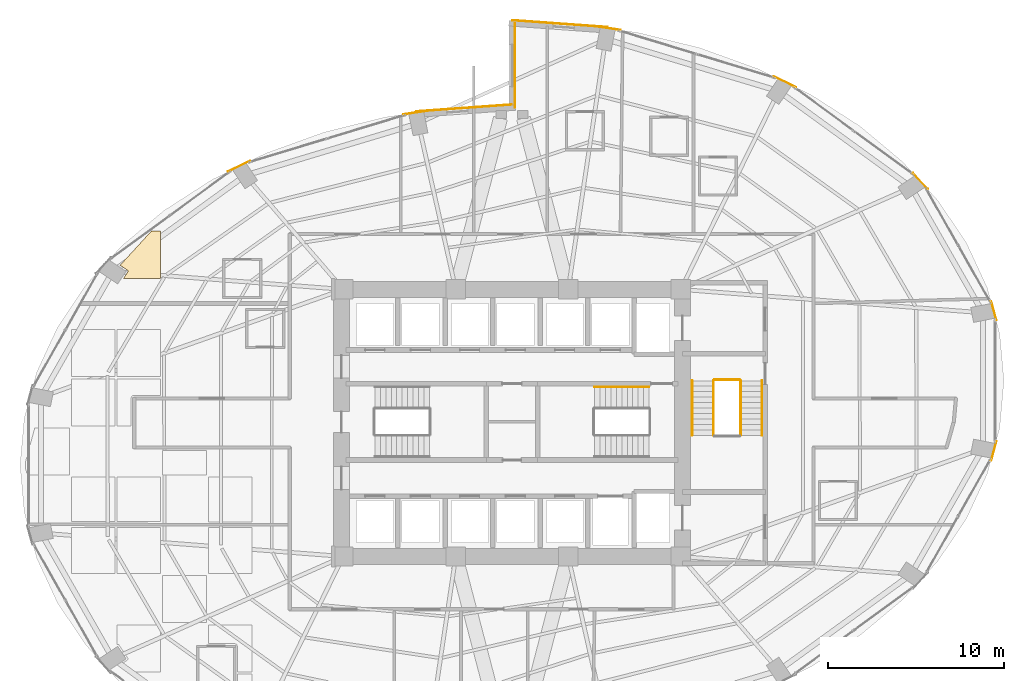
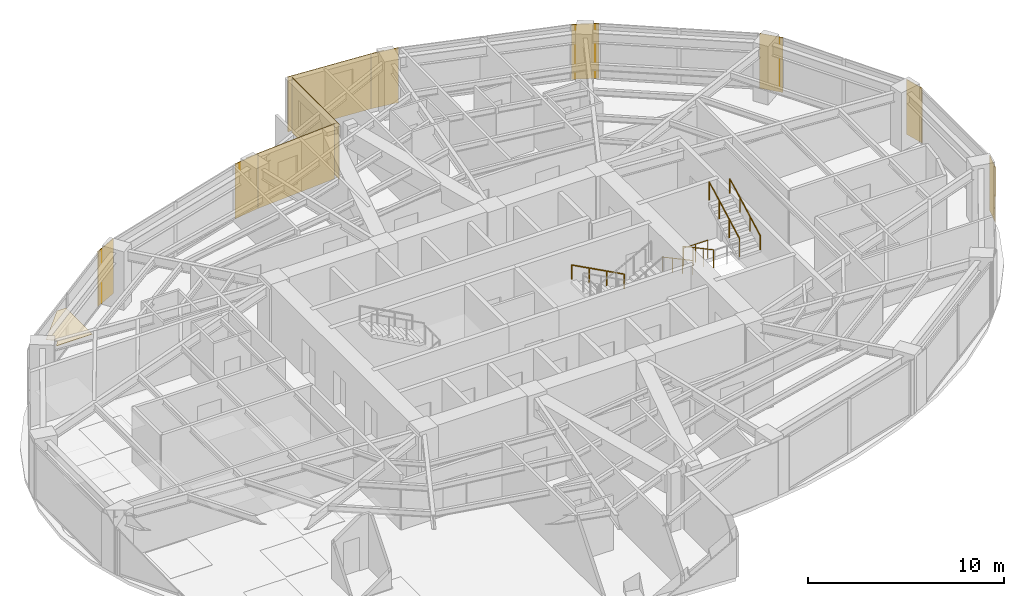
# One storey, part 25 of 25: 11 coverings, 6 railings.
"""IFC4 building model written with IfcOpenShell, lengths in metres."""

from ifc_helpers import new_model, si_unit, direction, frame, origin, origin_2d, place, context, subcontext, project, spatial, polyline, rectangle, circle, outline, extrude, material, layer, layer_set, type_object, element, save


model = new_model("IFC4")

# Units and contexts
model_context = context("Model", 3, precision=1e-05, world=origin(), true_north=direction((0.0, 1.0)))
body_context = subcontext(model_context, "Body", "Model", "MODEL_VIEW")
ifc_project = project(units=[si_unit("LENGTHUNIT", "METRE"), si_unit("AREAUNIT", "SQUARE_METRE"), si_unit("VOLUMEUNIT", "CUBIC_METRE"), si_unit("PLANEANGLEUNIT", "RADIAN"), si_unit("MASSUNIT", "GRAM", prefix="KILO")], contexts=[model_context])

# Site, building, storey
site_placement = place(None, origin())
site = spatial("IfcSite", under=ifc_project, at=site_placement, CompositionType="ELEMENT")
building_placement = place(site_placement, origin())
building = spatial("IfcBuilding", under=site, at=building_placement, Name="Lazwardi Medical Tower", CompositionType="ELEMENT")
storey_placement = place(building_placement, frame((0.0, 0.0, 32.49609375)))
storey = spatial("IfcBuildingStorey", under=building, at=storey_placement, Name="L07", CompositionType="ELEMENT", Elevation=32.49609375)

# Coverings
ifc_material_1 = material(Name="Anodised bronze aluminium cassette cladding", Category="aluminium")
ifc_layer_1 = layer(ifc_material_1, 0.030029296875)
ifc_layer_set_1 = layer_set([ifc_layer_1], Name="Anodised bronze aluminium cassette cladding")
covering_type_1 = type_object("IfcCoveringType", Name="COV-CLD-BRZ", PredefinedType="CLADDING", material=ifc_layer_set_1)
for number, where, z_axis, x_axis, name in (
    (1, (63.420654296875, 26.408203125, 0.0), (0.0, 0.0, 1.0), (0.262283496593, 0.964990863902, 0.0), "L07 Mega-column bronze cassette cover M04"),
    (2, (63.420654296875, 34.3916015625, 0.0), (0.0, 0.0, 1.0), (-0.262283496593, 0.964990863902, 0.0), "L07 Mega-column bronze cassette cover M05"),
):
    element("IfcCovering", number, at=place(storey_placement, frame(where, z_axis=z_axis, x_axis=x_axis)), inside=storey, type_object=covering_type_1, Name=name, PredefinedType="CLADDING", context=body_context, shape_type="SweptSolid", body=[
        extrude(rectangle(XDim=1.12548828125, YDim=0.030029296875, at=origin_2d()), origin(), (0.0, 0.0, 1.0), 3.427978515625),
    ])
covering_1_placement = place(storey_placement, frame((59.24609375, 41.767333984375, 0.0), z_axis=(0.0, 0.0, 1.0), x_axis=(-0.674252120961, 0.738501237223, 0.0)))
element("IfcCovering", 3, at=covering_1_placement, inside=storey, type_object=covering_type_1, Name="L07 Mega-column bronze cassette cover M06", PredefinedType="CLADDING", context=body_context, shape_type="SweptSolid", body=[
    extrude(rectangle(XDim=1.24658203125, YDim=0.030029296875, at=origin_2d()), origin(), (0.0, 0.0, 1.0), 3.427978515625),
])
covering_2_placement = place(storey_placement, frame((51.532470703125, 47.412353515625, 0.0), z_axis=(0.0, 0.0, 1.0), x_axis=(-0.898334492373, 0.439312121178, 0.0)))
element("IfcCovering", 4, at=covering_2_placement, inside=storey, type_object=covering_type_1, Name="L07 Mega-column bronze cassette cover M07", PredefinedType="CLADDING", context=body_context, shape_type="SweptSolid", body=[
    extrude(rectangle(XDim=1.400390625, YDim=0.030029296875, at=origin_2d()), origin(), (0.0, 0.0, 1.0), 3.427978515625),
])
for number, where, z_axis, x_axis, name in (
    (5, (41.454345703125, 50.46728515625, 0.0), (0.0, 0.0, 1.0), (-0.98957259946, 0.144034962415, 0.0), "L07 Mega-column bronze cassette cover M08"),
    (6, (30.545654296875, 45.66748046875, 0.0), (0.0, 0.0, 1.0), (-0.98957259946, -0.144034962415, 0.0), "L07 Mega-column bronze cassette cover M09"),
):
    element("IfcCovering", number, at=place(storey_placement, frame(where, z_axis=z_axis, x_axis=x_axis)), inside=storey, type_object=covering_type_1, Name=name, PredefinedType="CLADDING", context=body_context, shape_type="SweptSolid", body=[
        extrude(rectangle(XDim=1.49951171875, YDim=0.030029296875, at=origin_2d()), origin(), (0.0, 0.0, 1.0), 3.427978515625),
    ])
covering_3_placement = place(storey_placement, frame((20.467529296875, 42.6123046875, 0.0), z_axis=(0.0, 0.0, 1.0), x_axis=(-0.898334492373, -0.439312121178, 0.0)))
element("IfcCovering", 7, at=covering_3_placement, inside=storey, type_object=covering_type_1, Name="L07 Mega-column bronze cassette cover M10", PredefinedType="CLADDING", context=body_context, shape_type="SweptSolid", body=[
    extrude(rectangle(XDim=1.400390625, YDim=0.030029296875, at=origin_2d()), origin(), (0.0, 0.0, 1.0), 3.427978515625),
])
ifc_material_2 = material(Name="Turquoise glazed ceramic tilework cladding", Category="masonry")
ifc_layer_2 = layer(ifc_material_2, 0.034912109375)
ifc_layer_set_2 = layer_set([ifc_layer_2], Name="Turquoise glazed ceramic tilework cladding")
covering_type_2 = type_object("IfcCoveringType", Name="COV-CLD-TRQ", PredefinedType="CLADDING", material=ifc_layer_set_2)
covering_4_placement = place(storey_placement, frame((38.728271484375, 50.719482421875, 0.0), z_axis=(0.0, 0.0, 1.0), x_axis=(-0.997421404513, 0.071767275412, 0.0)))
element("IfcCovering", 8, at=covering_4_placement, inside=storey, type_object=covering_type_2, Name="L07 Turquoise glazed ceramic tilework cladding", PredefinedType="CLADDING", context=body_context, shape_type="SweptSolid", body=[
    extrude(rectangle(XDim=5.4453125, YDim=0.034912109375, at=origin_2d()), origin(), (0.0, 0.0, 1.0), 3.427978515625),
])
covering_5_placement = place(storey_placement, frame((33.271484375, 45.919677734375, 0.0), z_axis=(0.0, 0.0, 1.0), x_axis=(-0.997420903458, -0.071774238726, 0.0)))
element("IfcCovering", 9, at=covering_5_placement, inside=storey, type_object=covering_type_2, Name="L07 Turquoise glazed ceramic tilework cladding", PredefinedType="CLADDING", context=body_context, shape_type="SweptSolid", body=[
    extrude(rectangle(XDim=5.44482421875, YDim=0.034912109375, at=origin_2d()), origin(), (0.0, 0.0, 1.0), 3.427978515625),
])
covering_6_placement = place(storey_placement, frame((36.175537109375, 48.340087890625, 0.0), z_axis=(0.0, 0.0, 1.0), x_axis=(0.0, -1.0, 0.0)))
element("IfcCovering", 10, at=covering_6_placement, inside=storey, type_object=covering_type_2, Name="L07 Turquoise glazed ceramic tilework iwan panel", PredefinedType="CLADDING", context=body_context, shape_type="SweptSolid", body=[
    extrude(rectangle(XDim=4.800048828125, YDim=0.034912109375, at=origin_2d()), origin(), (0.0, 0.0, 1.0), 3.427978515625),
])
ifc_material_3 = material(Name="Acoustic mineral fibre tile")
ifc_layer_3 = layer(ifc_material_3, 0.02490234375)
ifc_layer_set_3 = layer_set([ifc_layer_3], Name="Acoustic mineral fibre tile")
covering_type_3 = type_object("IfcCoveringType", Name="COV-CLG-01", PredefinedType="CEILING", material=ifc_layer_set_3)
covering_7_placement = place(storey_placement, frame((0.0, 0.0, 3.282958984375)))
element("IfcCovering", 11, at=covering_7_placement, inside=storey, type_object=covering_type_3, Name="L07 Clinical Acoustic Ceiling 6", PredefinedType="CEILING", context=body_context, shape_type="SweptSolid", body=[
    extrude(outline(polyline([(15.470703125, 38.91259765625), (13.69677734375, 36.97314453125), (14.11083984375, 36.696533203125), (14.1171875, 36.69189453125), (14.123046875, 36.6865234375), (14.128173828125, 36.6806640625), (14.1328125, 36.67431640625), (14.136962890625, 36.667724609375), (14.140380859375, 36.66064453125), (14.14306640625, 36.6533203125), (14.14501953125, 36.6455078125), (14.14599609375, 36.6376953125), (14.146484375, 36.6298828125), (14.14599609375, 36.622314453125), (14.14501953125, 36.614501953125), (14.14306640625, 36.606689453125), (14.140380859375, 36.599365234375), (14.136962890625, 36.59228515625), (14.1328125, 36.585693359375), (13.89697265625, 36.232421875), (16.0029296875, 36.232421875), (16.0029296875, 38.91259765625), (15.470703125, 38.91259765625)])), origin(), (0.0, 0.0, 1.0), 0.02490234375),
])

# Railings
ifc_material_4 = material(Name="Stainless steel Grade 316", Category="steel")
railing_type_1 = type_object("IfcRailingType", Name="RLG-GRD-1150", PredefinedType="GUARDRAIL", material=ifc_material_4)
railing_1_placement = place(storey_placement, frame((47.469970703125, 30.39990234375, 0.165771484375)))
element("IfcRailing", 12, at=railing_1_placement, inside=storey, type_object=railing_type_1, Name="L07 ST3 stair guard 1", PredefinedType="GUARDRAIL", context=body_context, shape_type="SweptSolid", body=[
    extrude(circle(Radius=0.02392578125, at=origin_2d()), frame((0.0, 0.0, 1.1259765625), z_axis=(0.0, -0.881767849116, 0.471683644262), x_axis=(1.0, 0.0, 0.0)), (0.0, 0.0, 1.0), 3.515380859375),
    extrude(circle(Radius=0.02099609375, at=origin_2d()), origin(), (0.0, 0.0, 1.0), 1.099853515625),
    extrude(circle(Radius=0.02099609375, at=origin_2d()), frame((0.0, -1.033203125, 0.552734375)), (0.0, 0.0, 1.0), 1.099853515625),
    extrude(circle(Radius=0.02099609375, at=origin_2d()), frame((0.0, -2.066650390625, 1.10546875)), (0.0, 0.0, 1.0), 1.099853515625),
    extrude(circle(Radius=0.02099609375, at=origin_2d()), frame((0.0, -3.099853515625, 1.658203125)), (0.0, 0.0, 1.0), 1.099853515625),
])
railing_2_placement = place(storey_placement, frame((49.010009765625, 27.300048828125, 1.98974609375)))
element("IfcRailing", 13, at=railing_2_placement, inside=storey, type_object=railing_type_1, Name="L07 ST3 stair guard 3", PredefinedType="GUARDRAIL", context=body_context, shape_type="SweptSolid", body=[
    extrude(circle(Radius=0.02392578125, at=origin_2d()), frame((0.0, 0.0, 1.1259765625), z_axis=(0.0, 0.881767849116, 0.471683644262), x_axis=(-1.0, 0.0, 0.0)), (0.0, 0.0, 1.0), 3.515380859375),
    extrude(circle(Radius=0.02099609375, at=origin_2d()), origin(), (0.0, 0.0, 1.0), 1.099853515625),
    extrude(circle(Radius=0.02099609375, at=origin_2d()), frame((0.0, 1.033203125, 0.552734375)), (0.0, 0.0, 1.0), 1.099853515625),
    extrude(circle(Radius=0.02099609375, at=origin_2d()), frame((0.0, 2.066650390625, 1.10546875)), (0.0, 0.0, 1.0), 1.099853515625),
    extrude(circle(Radius=0.02099609375, at=origin_2d()), frame((0.0, 3.099853515625, 1.658203125)), (0.0, 0.0, 1.0), 1.099853515625),
])
railing_3_placement = place(storey_placement, frame((47.52001953125, 30.449951171875, 0.0)))
element("IfcRailing", 14, at=railing_3_placement, inside=storey, type_object=railing_type_1, Name="L07 ST3 stair guard 4", PredefinedType="GUARDRAIL", context=body_context, shape_type="SweptSolid", body=[
    extrude(circle(Radius=0.02392578125, at=origin_2d()), frame((0.0, 0.0, 1.1259765625), z_axis=(1.0, 0.0, 0.0), x_axis=(0.0, 1.0, 0.0)), (0.0, 0.0, 1.0), 1.43994140625),
    extrude(circle(Radius=0.02099609375, at=origin_2d()), origin(), (0.0, 0.0, 1.0), 1.099853515625),
    extrude(circle(Radius=0.02099609375, at=origin_2d()), frame((0.719970703125, 0.0, 0.0)), (0.0, 0.0, 1.0), 1.099853515625),
    extrude(circle(Radius=0.02099609375, at=origin_2d()), frame((1.43994140625, 0.0, 0.0)), (0.0, 0.0, 1.0), 1.099853515625),
])
railing_type_2 = type_object("IfcRailingType", Name="RLG-HND-920", PredefinedType="HANDRAIL", material=ifc_material_4)
railing_4_placement = place(storey_placement, frame((43.800048828125, 30.050048828125, 0.165771484375)))
element("IfcRailing", 15, at=railing_4_placement, inside=storey, type_object=railing_type_2, Name="L07 ST2 stair handrail 1", PredefinedType="HANDRAIL", context=body_context, shape_type="SweptSolid", body=[
    extrude(circle(Radius=0.02392578125, at=origin_2d()), frame((0.0, 0.0, 0.8857421875), z_axis=(-0.881783298633, 0.0, 0.471654761719), x_axis=(0.0, -1.0, 0.0)), (0.0, 0.0, 1.0), 3.515625),
    extrude(circle(Radius=0.02099609375, at=origin_2d()), origin(), (0.0, 0.0, 1.0), 0.85986328125),
    extrude(circle(Radius=0.02099609375, at=origin_2d()), frame((-1.033447265625, 0.0, 0.552734375)), (0.0, 0.0, 1.0), 0.85986328125),
    extrude(circle(Radius=0.02099609375, at=origin_2d()), frame((-2.066650390625, 0.0, 1.10546875)), (0.0, 0.0, 1.0), 0.85986328125),
    extrude(circle(Radius=0.02099609375, at=origin_2d()), frame((-3.10009765625, 0.0, 1.658203125)), (0.0, 0.0, 1.0), 0.85986328125),
])
railing_5_placement = place(storey_placement, frame((46.25, 30.39990234375, 0.165771484375)))
element("IfcRailing", 16, at=railing_5_placement, inside=storey, type_object=railing_type_2, Name="L07 ST3 stair handrail 1", PredefinedType="HANDRAIL", context=body_context, shape_type="SweptSolid", body=[
    extrude(circle(Radius=0.02392578125, at=origin_2d()), frame((0.0, 0.0, 0.8857421875), z_axis=(0.0, -0.881767849116, 0.471683644262), x_axis=(1.0, 0.0, 0.0)), (0.0, 0.0, 1.0), 3.515380859375),
    extrude(circle(Radius=0.02099609375, at=origin_2d()), origin(), (0.0, 0.0, 1.0), 0.85986328125),
    extrude(circle(Radius=0.02099609375, at=origin_2d()), frame((0.0, -1.033203125, 0.552734375)), (0.0, 0.0, 1.0), 0.85986328125),
    extrude(circle(Radius=0.02099609375, at=origin_2d()), frame((0.0, -2.066650390625, 1.10546875)), (0.0, 0.0, 1.0), 0.85986328125),
    extrude(circle(Radius=0.02099609375, at=origin_2d()), frame((0.0, -3.099853515625, 1.658203125)), (0.0, 0.0, 1.0), 0.85986328125),
])
railing_6_placement = place(storey_placement, frame((50.22998046875, 27.300048828125, 1.98974609375)))
element("IfcRailing", 17, at=railing_6_placement, inside=storey, type_object=railing_type_2, Name="L07 ST3 stair handrail 2", PredefinedType="HANDRAIL", context=body_context, shape_type="SweptSolid", body=[
    extrude(circle(Radius=0.02392578125, at=origin_2d()), frame((0.0, 0.0, 0.8857421875), z_axis=(0.0, 0.881767849116, 0.471683644262), x_axis=(-1.0, 0.0, 0.0)), (0.0, 0.0, 1.0), 3.515380859375),
    extrude(circle(Radius=0.02099609375, at=origin_2d()), origin(), (0.0, 0.0, 1.0), 0.85986328125),
    extrude(circle(Radius=0.02099609375, at=origin_2d()), frame((0.0, 1.033203125, 0.552734375)), (0.0, 0.0, 1.0), 0.85986328125),
    extrude(circle(Radius=0.02099609375, at=origin_2d()), frame((0.0, 2.066650390625, 1.10546875)), (0.0, 0.0, 1.0), 0.85986328125),
    extrude(circle(Radius=0.02099609375, at=origin_2d()), frame((0.0, 3.099853515625, 1.658203125)), (0.0, 0.0, 1.0), 0.85986328125),
])

save(model, "model.ifc")
